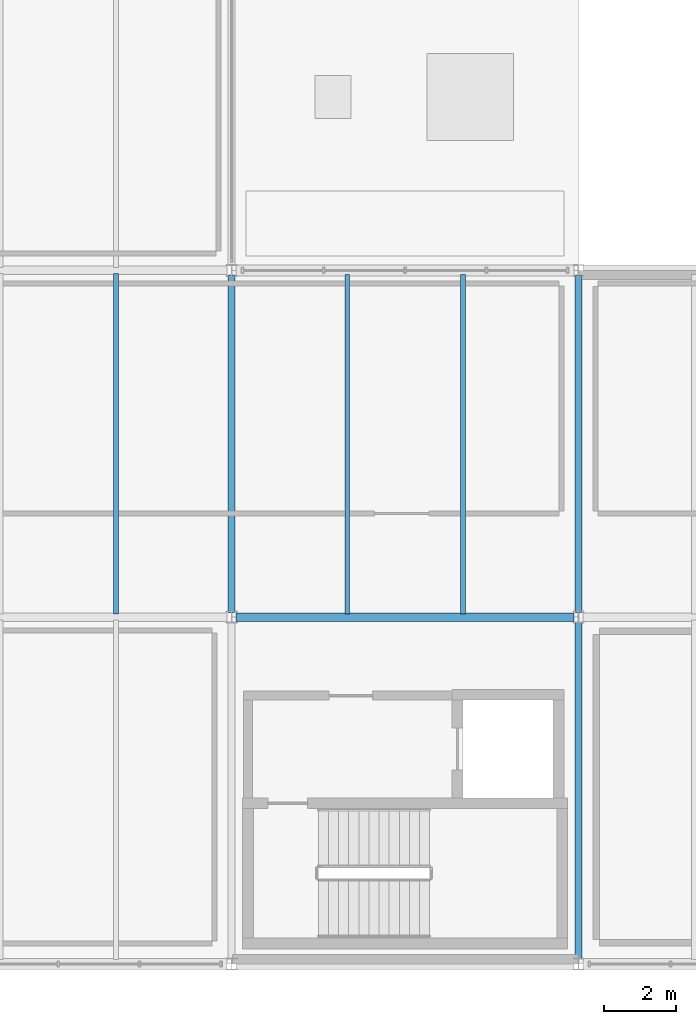
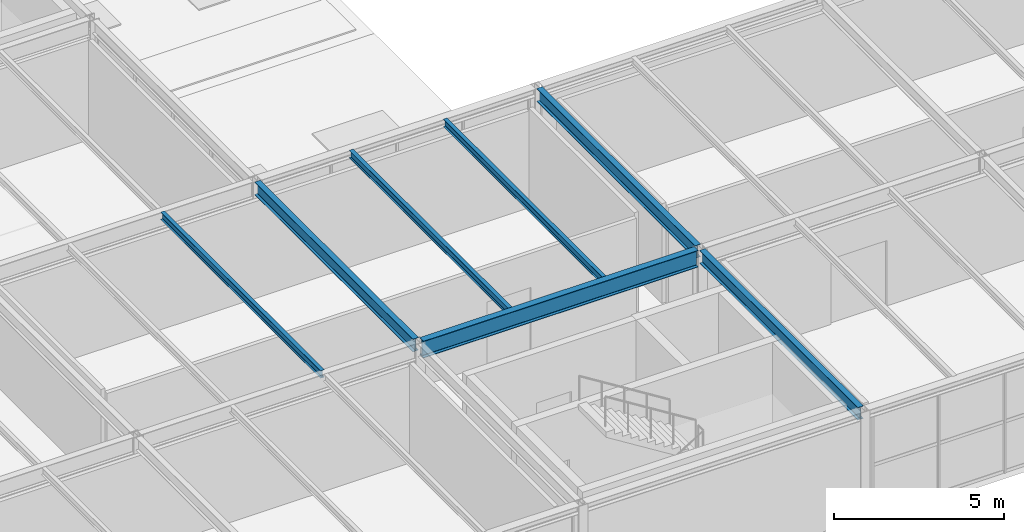
# One storey, part 11 of 50: 7 beams.
"""IFC4 building model written with IfcOpenShell, lengths in metres."""

from ifc_helpers import new_model, si_unit, direction, frame, origin, origin_2d, place, context, subcontext, project, spatial, i_section, extrude, material, material_profile, profile_set, type_object, element, save


model = new_model("IFC4")

# Units and contexts
model_context = context("Model", 3, precision=1e-05, world=origin(), true_north=direction((0.0, 1.0)))
body_context = subcontext(model_context, "Body", "Model", "MODEL_VIEW")
ifc_project = project(units=[si_unit("LENGTHUNIT", "METRE"), si_unit("AREAUNIT", "SQUARE_METRE"), si_unit("VOLUMEUNIT", "CUBIC_METRE"), si_unit("PLANEANGLEUNIT", "RADIAN"), si_unit("MASSUNIT", "GRAM", prefix="KILO")], contexts=[model_context])

# Site, building, storey
site_placement = place(None, origin())
site = spatial("IfcSite", under=ifc_project, at=site_placement, CompositionType="ELEMENT")
building_placement = place(site_placement, origin())
building = spatial("IfcBuilding", under=site, at=building_placement, Name="Coralgate Yard Interchange", CompositionType="ELEMENT")
storey_placement = place(building_placement, frame((0.0, 0.0, 14.699951171875)))
storey = spatial("IfcBuildingStorey", under=building, at=storey_placement, Name="L03", CompositionType="ELEMENT", Elevation=14.699951171875)

# Beams
ifc_material = material(Name="Structural steel S355J2", Category="steel")
ifc_material_profile_1 = material_profile(ifc_material, i_section(OverallWidth=0.1904296875, OverallDepth=0.45703125, WebThickness=0.009033203125, FlangeThickness=0.014404296875, FilletRadius=0.01025390625, at=origin_2d()), Name="UB 457x191x74")
ifc_profile_set_1 = profile_set([ifc_material_profile_1], Name="Structural steel S355J2")
beam_type_1 = type_object("IfcBeamType", Name="BM-SB-2", PredefinedType="BEAM", material=ifc_profile_set_1)
for number, where, z_axis, x_axis, name in (
    (1, (19.199951171875, 9.7333984375, 3.721435546875), (0.0, 1.0, 0.0), (-1.0, 0.0, 0.0), "L03 primary grid girder X2 Y1-2"),
    (2, (28.800048828125, 0.133544921875, 3.721435546875), (0.0, 1.0, 0.0), (-1.0, 0.0, 0.0), "L03 primary grid girder X3 Y0-1"),
    (3, (28.800048828125, 9.7333984375, 3.721435546875), (0.0, 1.0, 0.0), (-1.0, 0.0, 0.0), "L03 primary grid girder X3 Y1-2"),
):
    element("IfcBeam", number, at=place(storey_placement, frame(where, z_axis=z_axis, x_axis=x_axis)), inside=storey, type_object=beam_type_1, Name=name, PredefinedType="BEAM", context=body_context, shape_type="SweptSolid", body=[
        extrude(i_section(OverallWidth=0.1904296875, OverallDepth=0.45703125, WebThickness=0.009033203125, FlangeThickness=0.014404296875, FilletRadius=0.01025390625, at=origin_2d()), origin(), (0.0, 0.0, 1.0), 9.3330078125),
    ])
ifc_material_profile_2 = material_profile(ifc_material, i_section(OverallWidth=0.228271484375, OverallDepth=0.607666015625, WebThickness=0.010986328125, FlangeThickness=0.017333984375, FilletRadius=0.0126953125, at=origin_2d()), Name="UB 610x229x113")
ifc_profile_set_2 = profile_set([ifc_material_profile_2], Name="Structural steel S355J2")
beam_type_2 = type_object("IfcBeamType", Name="BM-SG-5", PredefinedType="BEAM", material=ifc_profile_set_2)
beam_1_placement = place(storey_placement, frame((19.32568359375, 9.60009765625, 3.646240234375), z_axis=(1.0, 0.0, 0.0), x_axis=(0.0, 1.0, 0.0)))
element("IfcBeam", 4, at=beam_1_placement, inside=storey, type_object=beam_type_2, Name="L03 primary grid beam Y1 X2-3", PredefinedType="BEAM", context=body_context, shape_type="SweptSolid", body=[
    extrude(i_section(OverallWidth=0.228271484375, OverallDepth=0.607666015625, WebThickness=0.010986328125, FlangeThickness=0.017333984375, FilletRadius=0.0126953125, at=origin_2d()), origin(), (0.0, 0.0, 1.0), 9.3486328125),
])
ifc_material_profile_3 = material_profile(ifc_material, i_section(OverallWidth=0.135009765625, OverallDepth=0.27001953125, WebThickness=0.006591796875, FlangeThickness=0.01025390625, FilletRadius=0.014892578125, at=origin_2d()), Name="IPE 270")
ifc_profile_set_3 = profile_set([ifc_material_profile_3], Name="Structural steel S355J2")
beam_type_3 = type_object("IfcBeamType", Name="BM-SJ-3", PredefinedType="JOIST", material=ifc_profile_set_3)
beam_2_placement = place(storey_placement, frame((16.0, 9.68408203125, 3.81494140625), z_axis=(0.0, 1.0, 0.0), x_axis=(-1.0, 0.0, 0.0)))
element("IfcBeam", 5, at=beam_2_placement, inside=storey, type_object=beam_type_3, Name="L03 composite floor joist 1-1-2", PredefinedType="JOIST", context=body_context, shape_type="SweptSolid", body=[
    extrude(i_section(OverallWidth=0.135009765625, OverallDepth=0.27001953125, WebThickness=0.006591796875, FlangeThickness=0.01025390625, FilletRadius=0.014892578125, at=origin_2d()), origin(), (0.0, 0.0, 1.0), 9.431884765625),
])
for number, where, z_axis, x_axis, name in (
    (6, (22.39990234375, 9.68408203125, 3.81494140625), (0.0, 1.0, 0.0), (-1.0, 0.0, 0.0), "L03 composite floor joist 2-1-1"),
    (7, (25.60009765625, 9.68408203125, 3.81494140625), (0.0, 1.0, 0.0), (-1.0, 0.0, 0.0), "L03 composite floor joist 2-1-2"),
):
    element("IfcBeam", number, at=place(storey_placement, frame(where, z_axis=z_axis, x_axis=x_axis)), inside=storey, type_object=beam_type_3, Name=name, PredefinedType="JOIST", context=body_context, shape_type="SweptSolid", body=[
        extrude(i_section(OverallWidth=0.135009765625, OverallDepth=0.27001953125, WebThickness=0.006591796875, FlangeThickness=0.01025390625, FilletRadius=0.014892578125, at=origin_2d()), origin(), (0.0, 0.0, 1.0), 9.39599609375),
    ])

save(model, "model.ifc")
